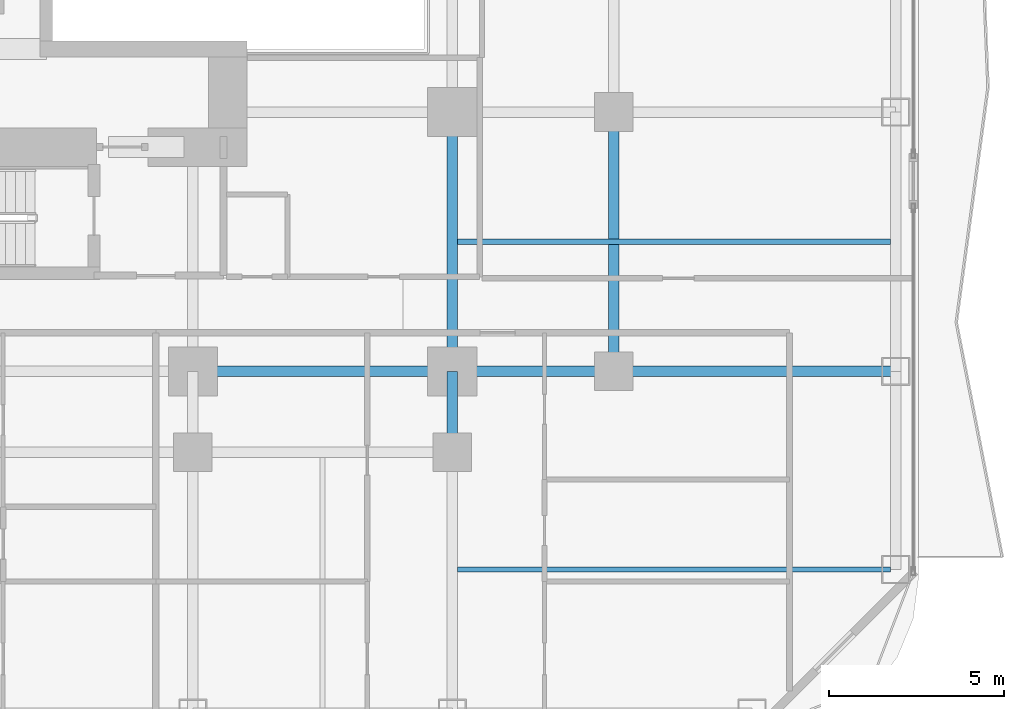
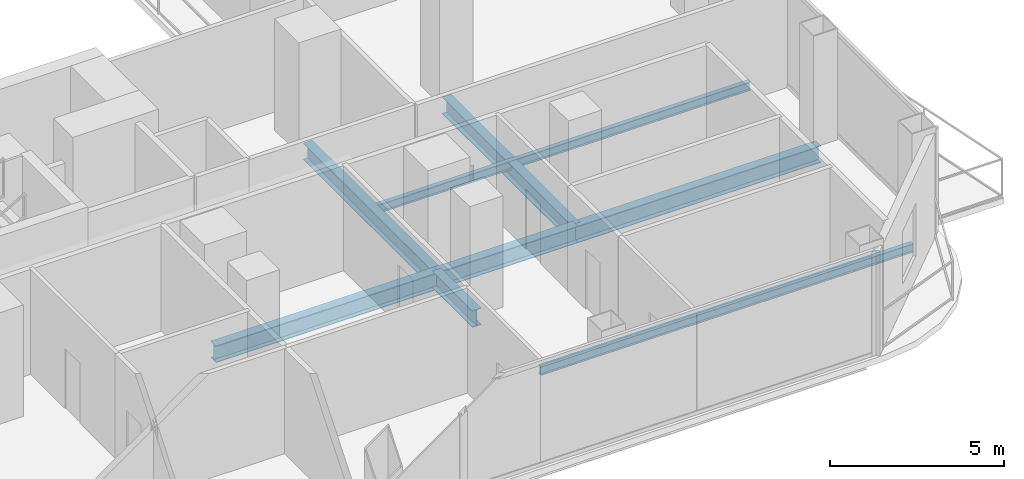
# One storey, part 9 of 27: 8 beams.
"""IFC4 building model written with IfcOpenShell, lengths in metres."""

import ifcopenshell
import ifcopenshell.guid

model = None  # the IFC model being written
_history = None  # IfcOwnerHistory: only IFC2X3 demands one
_inside = {}  # id of a spatial element -> (the spatial element, [elements in it])
_under = {}  # id of a project, library or spatial element -> (it, [spatial elements below it])
_declared = {}  # id of a project -> (the project, [libraries it declares])
_typed = {}  # id of a type object -> (the type object, [elements of that type])
_made_of = {}  # id of a material, layer set ... -> (it, [elements and type objects made of it])


def new_model(schema):
    """Start an empty IFC model of exactly this schema.

    Asked for "IFC4X3", IfcOpenShell would pick the latest addendum, in which some entities
    have other attributes; the version numbers below select the first issue.
    IFC2X3 requires an IfcOwnerHistory on every rooted entity: one is made here for all.
    """
    global model, _history
    if schema == "IFC4X3":
        model = ifcopenshell.file(schema_version=(4, 3, 0, 0))
    else:
        model = ifcopenshell.file(schema=schema)
    _inside.clear()
    _under.clear()
    _declared.clear()
    _typed.clear()
    _made_of.clear()
    _history = None
    if model.schema == "IFC2X3":
        org = make("IfcOrganization", Name="unknown")
        user = make(
            "IfcPersonAndOrganization",
            ThePerson=make("IfcPerson", FamilyName="unknown"),
            TheOrganization=org,
        )
        app = make(
            "IfcApplication",
            ApplicationDeveloper=org,
            Version="unknown",
            ApplicationFullName="unknown",
            ApplicationIdentifier="unknown",
        )
        _history = make(
            "IfcOwnerHistory",
            OwningUser=user,
            OwningApplication=app,
            ChangeAction="ADDED",
            CreationDate=0,
        )
    return model


def make(cls, **values):
    """One entity of the class cls with the attributes given. An attribute that is None is left unset."""
    return model.create_entity(
        cls, **{name: value for name, value in values.items() if value is not None}
    )


def rooted(cls, **values):
    """An entity with a GlobalId (a new one), such as an element, a storey or a relation."""
    return make(cls, GlobalId=ifcopenshell.guid.new(), OwnerHistory=_history, **values)


def si_unit(unit_type, name, prefix=None):
    """IfcSIUnit, for example si_unit("LENGTHUNIT", "METRE", prefix="MILLI")."""
    return make("IfcSIUnit", UnitType=unit_type, Prefix=prefix, Name=name)


def assignment(units):
    """IfcUnitAssignment: the units of a project."""
    return None if units is None else make("IfcUnitAssignment", Units=units)


def point(xyz):
    """IfcCartesianPoint."""
    return None if xyz is None else make("IfcCartesianPoint", Coordinates=xyz)


def direction(xyz):
    """IfcDirection."""
    return None if xyz is None else make("IfcDirection", DirectionRatios=xyz)


def frame(location, z_axis=None, x_axis=None):
    """IfcAxis2Placement3D, a coordinate frame: its origin and axes. An axis left out is left unset."""
    return make(
        "IfcAxis2Placement3D",
        Location=point(location),
        Axis=direction(z_axis),
        RefDirection=direction(x_axis),
    )


def frame_2d(location, x_axis=None):
    """IfcAxis2Placement2D, a coordinate frame in the plane: its origin and x axis."""
    return make(
        "IfcAxis2Placement2D", Location=point(location), RefDirection=direction(x_axis)
    )


def origin():
    """The frame at (0, 0, 0) with its axes left unset."""
    return frame((0.0, 0.0, 0.0))


def origin_2d():
    """The frame at (0, 0) in the plane with its x axis left unset."""
    return frame_2d((0.0, 0.0))


def place(relative_to, where):
    """IfcLocalPlacement: puts the frame where relative to a parent placement (None: the world)."""
    return make(
        "IfcLocalPlacement", PlacementRelTo=relative_to, RelativePlacement=where
    )


def context(
    kind, dimensions, precision=None, world=None, true_north=None, identifier=None
):
    """IfcGeometricRepresentationContext, for example the 3D "Model" context."""
    return make(
        "IfcGeometricRepresentationContext",
        ContextIdentifier=identifier,
        ContextType=kind,
        CoordinateSpaceDimension=dimensions,
        Precision=precision,
        WorldCoordinateSystem=world,
        TrueNorth=true_north,
    )


def subcontext(parent, identifier, kind, view, scale=None):
    """IfcGeometricRepresentationSubContext, for example "Body" below "Model"."""
    return make(
        "IfcGeometricRepresentationSubContext",
        ContextIdentifier=identifier,
        ContextType=kind,
        ParentContext=parent,
        TargetScale=scale,
        TargetView=view,
    )


def project(units=None, contexts=None):
    """IfcProject with its units and contexts."""
    return rooted(
        "IfcProject",
        Name="project",
        RepresentationContexts=contexts,
        UnitsInContext=assignment(units),
    )


def spatial(cls, under=None, at=None, **own):
    """A site, building, storey or space (cls), placed at a placement, below another one or the project."""
    s = rooted(cls, ObjectPlacement=at, **own)
    if under is not None:
        _under.setdefault(under.id(), (under, []))[1].append(s)
    return s


def profile(cls, at=None, kind="AREA", **sizes):
    """A parametric profile (cls). Its sizes go by their IFC names, for example OverallWidth=200.0."""
    return make(cls, ProfileType=kind, Position=at, **sizes)


def i_section(**sizes):
    """IfcIShapeProfileDef."""
    return profile("IfcIShapeProfileDef", **sizes)


def extrude(swept, where, along, depth):
    """IfcExtrudedAreaSolid: the profile swept, set in the frame where, extruded along a direction by depth."""
    return make(
        "IfcExtrudedAreaSolid",
        SweptArea=swept,
        Position=where,
        ExtrudedDirection=direction(along),
        Depth=depth,
    )


def shape(context_of_items, identifier, shape_type, items):
    """IfcShapeRepresentation: the items that make up one representation, for example the "Body"."""
    return make(
        "IfcShapeRepresentation",
        ContextOfItems=context_of_items,
        RepresentationIdentifier=identifier,
        RepresentationType=shape_type,
        Items=items,
    )


def material(Name=None, Category=None):
    """IfcMaterial."""
    return make("IfcMaterial", Name=Name, Category=Category)


def material_profile(
    of_material, cross_section, Name=None, Category=None, Priority=None
):
    """IfcMaterialProfile: a cross section and its material."""
    return make(
        "IfcMaterialProfile",
        Name=Name,
        Material=of_material,
        Profile=cross_section,
        Priority=Priority,
        Category=Category,
    )


def profile_set(profiles, Name=None, composite=None):
    """IfcMaterialProfileSet."""
    return make(
        "IfcMaterialProfileSet",
        Name=Name,
        MaterialProfiles=profiles,
        CompositeProfile=composite,
    )


def made_of(thing, what):
    """Note that an element or type object is made of a material, layer set ...; save() writes the relation."""
    if what is not None:
        _made_of.setdefault(what.id(), (what, []))[1].append(thing)
    return thing


def type_object(cls, material=None, **own):
    """A type object (cls), such as IfcWallType, which elements share."""
    return made_of(rooted(cls, **own), material)


def element(
    cls,
    number,
    at=None,
    inside=None,
    cuts=None,
    type_object=None,
    material=None,
    context=None,
    identifier="Body",
    shape_type=None,
    held_by="IfcProductDefinitionShape",
    body=None,
    shapes=None,
    **own,
):
    """One element of the class cls, such as IfcWall. Its Tag is "e" and its number.

    at: its placement. inside: the storey or other place that contains it. cuts: it is an
    opening in that element (IfcRelVoidsElement). A single representation is given by context,
    identifier, shape_type and body (its items); several are given by shapes. held_by: the class
    of the entity that holds the representations. save() writes the other relations.
    """
    e = rooted(cls, Tag="e%d" % number, ObjectPlacement=at, **own)
    if body is not None:
        shapes = [shape(context, identifier, shape_type, body)]
    if shapes is not None:
        e.Representation = make(held_by, Representations=shapes)
    if inside is not None:
        _inside.setdefault(inside.id(), (inside, []))[1].append(e)
    if cuts is not None:
        rooted(
            "IfcRelVoidsElement", RelatingBuildingElement=cuts, RelatedOpeningElement=e
        )
    if type_object is not None:
        _typed.setdefault(type_object.id(), (type_object, []))[1].append(e)
    return made_of(e, material)


def aggregate(whole, parts):
    """IfcRelAggregates: a whole, such as a stair, and the parts it consists of."""
    return rooted("IfcRelAggregates", RelatingObject=whole, RelatedObjects=parts)


def save(model, path):
    """Write the relations noted so far, then the file.

    IfcRelAggregates (storeys below a building ...), IfcRelContainedInSpatialStructure (elements
    in a storey), IfcRelDefinesByType, IfcRelAssociatesMaterial and IfcRelDeclares: one each for
    every whole, place, type object, material and project.
    """
    for whole, parts in _under.values():
        aggregate(whole, parts)
    for where, things in _inside.values():
        rooted(
            "IfcRelContainedInSpatialStructure",
            RelatedElements=things,
            RelatingStructure=where,
        )
    for kind, things in _typed.values():
        rooted("IfcRelDefinesByType", RelatedObjects=things, RelatingType=kind)
    for what, things in _made_of.values():
        rooted("IfcRelAssociatesMaterial", RelatedObjects=things, RelatingMaterial=what)
    for by, libraries in _declared.values():
        rooted("IfcRelDeclares", RelatingContext=by, RelatedDefinitions=libraries)
    model.write(path)


model = new_model("IFC4")

# Units and contexts
model_context = context("Model", 3, precision=1e-05, world=origin(), true_north=direction((0.0, 1.0)))
body_context = subcontext(model_context, "Body", "Model", "MODEL_VIEW")
ifc_project = project(units=[si_unit("LENGTHUNIT", "METRE"), si_unit("AREAUNIT", "SQUARE_METRE"), si_unit("VOLUMEUNIT", "CUBIC_METRE"), si_unit("PLANEANGLEUNIT", "RADIAN"), si_unit("MASSUNIT", "GRAM", prefix="KILO")], contexts=[model_context])

# Site, building, storey
site_placement = place(None, origin())
site = spatial("IfcSite", under=ifc_project, at=site_placement, CompositionType="ELEMENT")
building_placement = place(site_placement, origin())
building = spatial("IfcBuilding", under=site, at=building_placement, Name="Khorvyn Point Tower", CompositionType="ELEMENT")
storey_placement = place(building_placement, frame((0.0, 0.0, 42.300048828125)))
storey = spatial("IfcBuildingStorey", under=building, at=storey_placement, Name="L11", CompositionType="ELEMENT", Elevation=42.300048828125)

# Beams
ifc_material = material(Name="Steel S355", Category="steel")
ifc_material_profile_1 = material_profile(ifc_material, i_section(OverallWidth=0.300048828125, OverallDepth=0.587890625, WebThickness=0.011962890625, FlangeThickness=0.02001953125, at=origin_2d()))
ifc_profile_set_1 = profile_set([ifc_material_profile_1], Name="Steel S355 H588x300x12x20")
beam_type_1 = type_object("IfcBeamType", Name="Steel S355 Beam H588x300x12x20", PredefinedType="BEAM", material=ifc_profile_set_1)
beam_1_placement = place(storey_placement, frame((7.39990234375, -14.800048828125, -0.51416015625), z_axis=(1.0, 0.0, 0.0), x_axis=(0.0, 1.0, 0.0)))
element("IfcBeam", 1, at=beam_1_placement, inside=storey, type_object=beam_type_1, Name="Beam", PredefinedType="BEAM", context=body_context, shape_type="SweptSolid", body=[
    extrude(i_section(OverallWidth=0.300048828125, OverallDepth=0.587890625, WebThickness=0.011962890625, FlangeThickness=0.02001953125, at=origin_2d()), origin(), (0.0, 0.0, 1.0), 7.400146484375),
])
beam_2_placement = place(storey_placement, frame((14.800048828125, -14.800048828125, -0.51416015625), z_axis=(1.0, 0.0, 0.0), x_axis=(0.0, 1.0, 0.0)))
element("IfcBeam", 2, at=beam_2_placement, inside=storey, type_object=beam_type_1, Name="Beam", PredefinedType="BEAM", context=body_context, shape_type="SweptSolid", body=[
    extrude(i_section(OverallWidth=0.300048828125, OverallDepth=0.587890625, WebThickness=0.011962890625, FlangeThickness=0.02001953125, at=origin_2d()), origin(), (0.0, 0.0, 1.0), 4.599853515625),
])
beam_3_placement = place(storey_placement, frame((19.39990234375, -14.800048828125, -0.51416015625), z_axis=(1.0, 0.0, 0.0), x_axis=(0.0, 1.0, 0.0)))
element("IfcBeam", 3, at=beam_3_placement, inside=storey, type_object=beam_type_1, Name="Beam", PredefinedType="BEAM", context=body_context, shape_type="SweptSolid", body=[
    extrude(i_section(OverallWidth=0.300048828125, OverallDepth=0.587890625, WebThickness=0.011962890625, FlangeThickness=0.02001953125, at=origin_2d()), origin(), (0.0, 0.0, 1.0), 8.050048828125),
])
beam_4_placement = place(storey_placement, frame((14.800048828125, -17.10009765625, -0.51416015625), z_axis=(0.0, 1.0, 0.0), x_axis=(-1.0, 0.0, 0.0)))
element("IfcBeam", 4, at=beam_4_placement, inside=storey, type_object=beam_type_1, Name="Beam", PredefinedType="BEAM", context=body_context, shape_type="SweptSolid", body=[
    extrude(i_section(OverallWidth=0.300048828125, OverallDepth=0.587890625, WebThickness=0.011962890625, FlangeThickness=0.02001953125, at=origin_2d()), origin(), (0.0, 0.0, 1.0), 2.300048828125),
])
for number, where, z_axis, x_axis, name in (
    (5, (14.800048828125, -14.800048828125, -0.51416015625), (0.0, 1.0, 0.0), (-1.0, 0.0, 0.0), "Beam"),
    (6, (19.39990234375, -14.800048828125, -0.51416015625), (0.0, 1.0, 0.0), (-1.0, 0.0, 0.0), "Beam"),
):
    element("IfcBeam", number, at=place(storey_placement, frame(where, z_axis=z_axis, x_axis=x_axis)), inside=storey, type_object=beam_type_1, Name=name, PredefinedType="BEAM", context=body_context, shape_type="SweptSolid", body=[
        extrude(i_section(OverallWidth=0.300048828125, OverallDepth=0.587890625, WebThickness=0.011962890625, FlangeThickness=0.02001953125, at=origin_2d()), origin(), (0.0, 0.0, 1.0), 7.400146484375),
    ])
ifc_material_profile_2 = material_profile(ifc_material, i_section(OverallWidth=0.14990234375, OverallDepth=0.300048828125, WebThickness=0.006591796875, FlangeThickness=0.009033203125, at=origin_2d()))
ifc_profile_set_2 = profile_set([ifc_material_profile_2], Name="Steel S355 H300x150x6.5x9")
beam_type_2 = type_object("IfcBeamType", Name="Steel S355 Joist H300x150x6.5x9", PredefinedType="JOIST", material=ifc_profile_set_2)
for number, where, z_axis, x_axis, name in (
    (7, (14.949951171875, -11.10009765625, -0.3701171875), (1.0, 0.0, 0.0), (0.0, 1.0, 0.0), "Beam"),
    (8, (14.949951171875, -20.449951171875, -0.3701171875), (1.0, 0.0, 0.0), (0.0, 1.0, 0.0), "Beam"),
):
    element("IfcBeam", number, at=place(storey_placement, frame(where, z_axis=z_axis, x_axis=x_axis)), inside=storey, type_object=beam_type_2, Name=name, PredefinedType="JOIST", context=body_context, shape_type="SweptSolid", body=[
        extrude(i_section(OverallWidth=0.14990234375, OverallDepth=0.300048828125, WebThickness=0.006591796875, FlangeThickness=0.009033203125, at=origin_2d()), origin(), (0.0, 0.0, 1.0), 12.35009765625),
    ])

save(model, "model.ifc")
